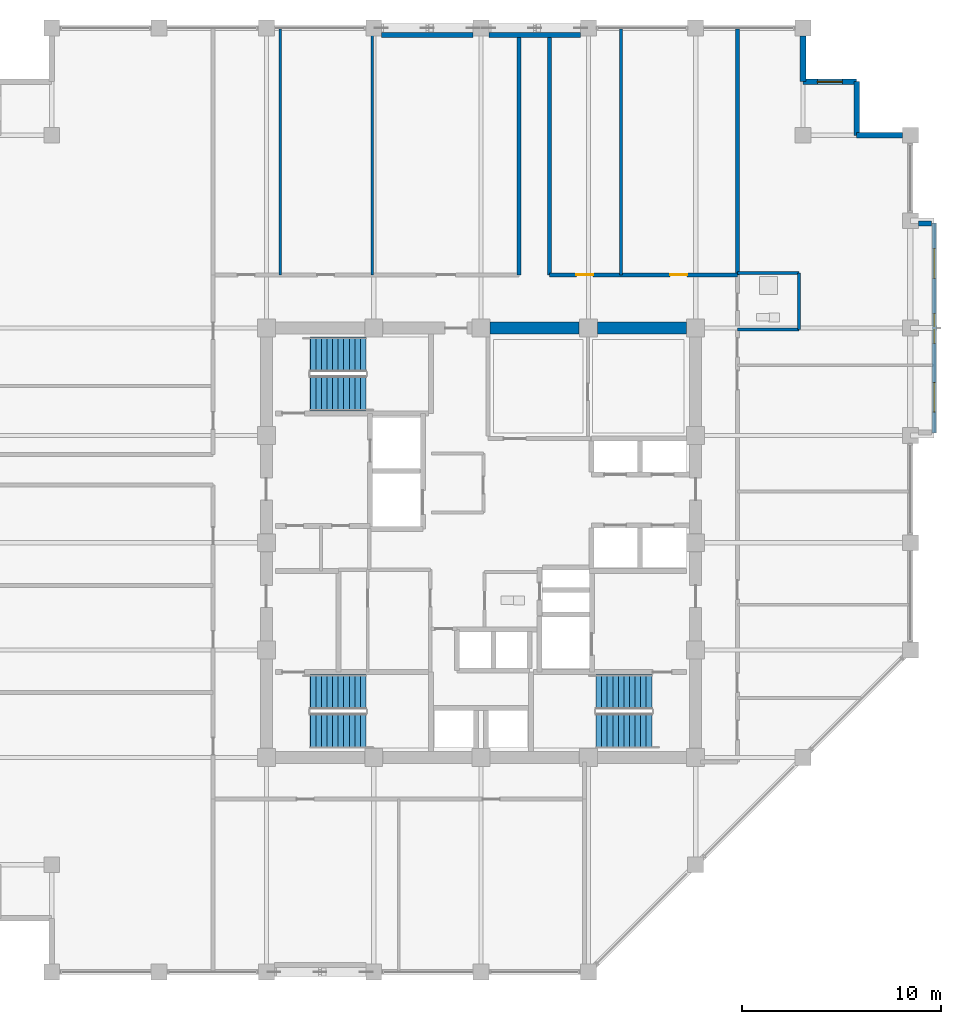
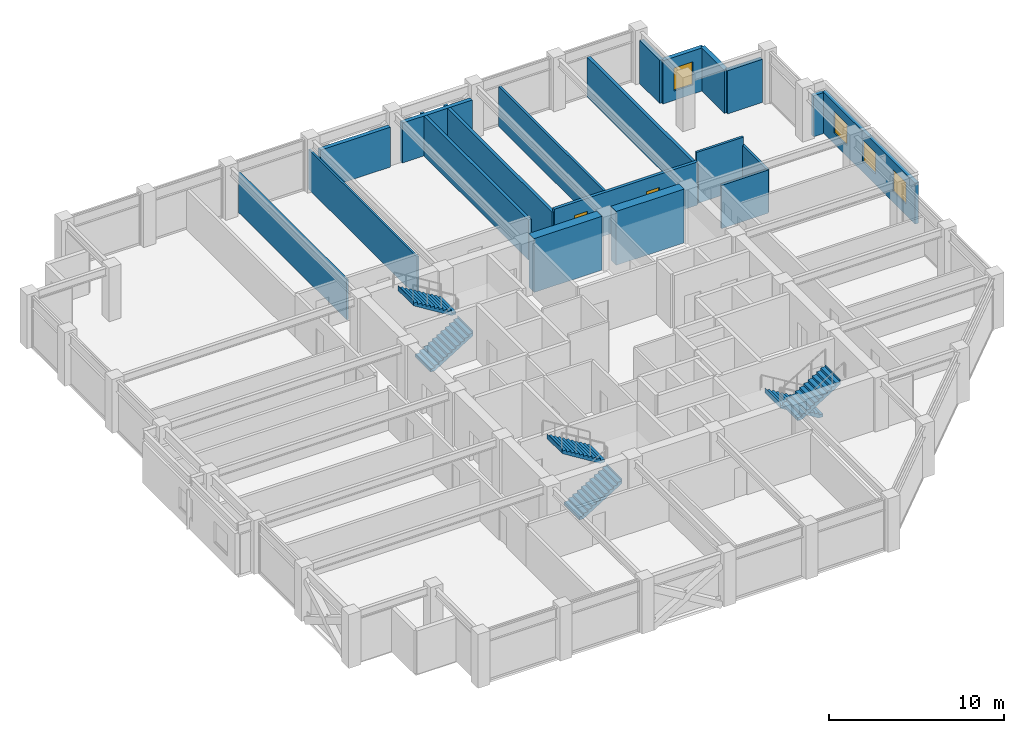
# One storey, part 27 of 30: 20 walls, 6 stair flights, 4 windows, 2 doors, 6 openings, 3 elements without a shape of their own.
"""IFC4 building model written with IfcOpenShell, lengths in metres."""

from ifc_helpers import new_model, si_unit, direction, frame, frame_2d, origin, place, context, subcontext, project, spatial, polyline, rectangle, outline, extrude, material, layer, layer_set, type_object, element, fill, aggregate, save


model = new_model("IFC4")

# Units and contexts
model_context = context("Model", 3, precision=1e-05, world=origin(), true_north=direction((0.0, 1.0)))
body_context = subcontext(model_context, "Body", "Model", "MODEL_VIEW")
ifc_project = project(units=[si_unit("LENGTHUNIT", "METRE"), si_unit("AREAUNIT", "SQUARE_METRE"), si_unit("VOLUMEUNIT", "CUBIC_METRE"), si_unit("PLANEANGLEUNIT", "RADIAN"), si_unit("MASSUNIT", "GRAM", prefix="KILO")], contexts=[model_context])

# Site, building, storey
site_placement = place(None, origin())
site = spatial("IfcSite", under=ifc_project, at=site_placement, CompositionType="ELEMENT")
building_placement = place(site_placement, origin())
building = spatial("IfcBuilding", under=site, at=building_placement, Name="Surkhivell Harbour Commons", CompositionType="ELEMENT")
storey_placement = place(building_placement, frame((0.0, 0.0, 227.25)))
storey = spatial("IfcBuildingStorey", under=building, at=storey_placement, Name="L59", CompositionType="ELEMENT", Elevation=227.25)

# Walls
ifc_material_1 = material(Name="Concrete C60/75", Category="concrete")
ifc_layer_1 = layer(ifc_material_1, 0.60009765625)
ifc_layer_set_1 = layer_set([ifc_layer_1], Name="Concrete C60/75")
wall_type_1 = type_object("IfcWallType", Name="WAL-CORE-600", PredefinedType="SHEAR", material=ifc_layer_set_1)
for number, where, z_axis, x_axis, name in (
    (1, (0.4599609375, 10.800048828125, 0.0), (0.0, 0.0, 1.0), (1.0, 0.0, 0.0), "L59 Core Shear Wall North 3"),
    (2, (5.860107421875, 10.800048828125, 0.0), (0.0, 0.0, 1.0), (1.0, 0.0, 0.0), "L59 Core Shear Wall North 4"),
):
    element("IfcWall", number, at=place(storey_placement, frame(where, z_axis=z_axis, x_axis=x_axis)), inside=storey, type_object=wall_type_1, Name=name, PredefinedType="SHEAR", context=body_context, shape_type="SweptSolid", body=[
        extrude(rectangle(XDim=4.47998046875, YDim=0.60009765625, at=frame_2d((2.239990234375, 0.0))), origin(), (0.0, 0.0, 1.0), 3.75),
    ])
ifc_material_2 = material(Name="Pale-metal insulated precast concrete C45/55", Category="concrete")
ifc_layer_2 = layer(ifc_material_2, 0.260009765625)
ifc_layer_set_2 = layer_set([ifc_layer_2], Name="Pale-metal insulated precast concrete C45/55")
wall_type_2 = type_object("IfcWallType", Name="WAL-EXT-MTL260", PredefinedType="STANDARD", material=ifc_layer_set_2)
for number, where, z_axis, x_axis, name in (
    (3, (-0.39794921875, 25.5400390625, 0.0), (0.0, 0.0, 1.0), (-1.0, 0.0, 0.0), "L59 Braced-Bay Insulated Spandrel Backing N"),
    (4, (5.001953125, 25.5400390625, 0.0), (0.0, 0.0, 1.0), (-1.0, 0.0, 0.0), "L59 Braced-Bay Insulated Spandrel Backing N2"),
):
    element("IfcWall", number, at=place(storey_placement, frame(where, z_axis=z_axis, x_axis=x_axis)), inside=storey, type_object=wall_type_2, Name=name, PredefinedType="STANDARD", context=body_context, shape_type="SweptSolid", body=[
        extrude(rectangle(XDim=4.60400390625, YDim=0.260009765625, at=frame_2d((2.302001953125, 0.0))), origin(), (0.0, 0.0, 1.0), 2.780029296875),
    ])

# Wall, openings, windows
ifc_material_3 = material(Name="Bronze-ochre cassette precast concrete C45/55", Category="concrete")
ifc_layer_3 = layer(ifc_material_3, 0.239990234375)
ifc_layer_set_3 = layer_set([ifc_layer_3], Name="Bronze-ochre cassette precast concrete C45/55")
wall_type_3 = type_object("IfcWallType", Name="WAL-EXT-OCH240", PredefinedType="STANDARD", material=ifc_layer_set_3)
wall_1_placement = place(storey_placement, frame((22.800048828125, 5.52001953125, 0.0), z_axis=(0.0, 0.0, 1.0), x_axis=(0.0, 1.0, 0.0)))
wall_1 = element("IfcWall", 5, at=wall_1_placement, inside=storey, type_object=wall_type_3, Name="L59 Coloured Box Front Wall 01", PredefinedType="STANDARD", context=body_context, shape_type="SweptSolid", body=[
    extrude(rectangle(XDim=10.56005859375, YDim=0.239990234375, at=frame_2d((5.280029296875, 0.0))), origin(), (0.0, 0.0, 1.0), 2.85693359375),
])
opening_1_placement = place(wall_1_placement, frame((1.044921875, 0.0, 0.75)))
opening_1 = element("IfcOpeningElement", 6, at=opening_1_placement, cuts=wall_1, Name="Opening WN-13", PredefinedType="OPENING", context=body_context, shape_type="SweptSolid", body=[
    extrude(rectangle(XDim=1.5, YDim=1.5, at=frame_2d((0.75, 0.75))), frame((0.0, 0.1298828125, 0.0), z_axis=(0.0, -1.0, 0.0), x_axis=(1.0, 0.0, 0.0)), (0.0, 0.0, 1.0), 0.260009765625),
])
opening_2_placement = place(wall_1_placement, frame((4.512451171875, 0.0, 0.75)))
opening_2 = element("IfcOpeningElement", 7, at=opening_2_placement, cuts=wall_1, Name="Opening WN-13", PredefinedType="OPENING", context=body_context, shape_type="SweptSolid", body=[
    extrude(rectangle(XDim=1.5, YDim=1.5, at=frame_2d((0.75, 0.75))), frame((0.0, 0.1298828125, 0.0), z_axis=(0.0, -1.0, 0.0), x_axis=(1.0, 0.0, 0.0)), (0.0, 0.0, 1.0), 0.260009765625),
])
opening_3_placement = place(wall_1_placement, frame((7.777587890625, 0.0, 0.75)))
opening_3 = element("IfcOpeningElement", 8, at=opening_3_placement, cuts=wall_1, Name="Opening WN-13", PredefinedType="OPENING", context=body_context, shape_type="SweptSolid", body=[
    extrude(rectangle(XDim=1.5, YDim=1.5, at=frame_2d((0.75, 0.75))), frame((0.0, 0.1298828125, 0.0), z_axis=(0.0, -1.0, 0.0), x_axis=(1.0, 0.0, 0.0)), (0.0, 0.0, 1.0), 0.260009765625),
])
ifc_material_4 = material(Name="Thermal-break aluminium frame and double low-E glazing", Category="aluminium")
window_type_1 = type_object("IfcWindowType", Name="WIN-BOX-1500x1500", PartitioningType="SINGLE_PANEL", PredefinedType="WINDOW", material=ifc_material_4)
window_1_placement = place(opening_1_placement, origin())
window_1 = element("IfcWindow", 9, at=window_1_placement, inside=storey, type_object=window_type_1, Name="L59 Coloured Box Square Window 01-1", OverallHeight=1.5, OverallWidth=1.5, PartitioningType="SINGLE_PANEL", PredefinedType="WINDOW", context=body_context, shape_type="SweptSolid", body=[
    extrude(rectangle(XDim=1.5, YDim=1.5, at=frame_2d((0.75, 0.75))), frame((0.0, 0.030029296875, 0.0), z_axis=(0.0, -1.0, 0.0), x_axis=(1.0, 0.0, 0.0)), (0.0, 0.0, 1.0), 0.06005859375),
])
fill(opening_1, window_1)
window_2_placement = place(opening_2_placement, origin())
window_2 = element("IfcWindow", 10, at=window_2_placement, inside=storey, type_object=window_type_1, Name="L59 Coloured Box Square Window 01-2", OverallHeight=1.5, OverallWidth=1.5, PartitioningType="SINGLE_PANEL", PredefinedType="WINDOW", context=body_context, shape_type="SweptSolid", body=[
    extrude(rectangle(XDim=1.5, YDim=1.5, at=frame_2d((0.75, 0.75))), frame((0.0, 0.030029296875, 0.0), z_axis=(0.0, -1.0, 0.0), x_axis=(1.0, 0.0, 0.0)), (0.0, 0.0, 1.0), 0.06005859375),
])
fill(opening_2, window_2)
window_3_placement = place(opening_3_placement, origin())
window_3 = element("IfcWindow", 11, at=window_3_placement, inside=storey, type_object=window_type_1, Name="L59 Coloured Box Square Window 01-3", OverallHeight=1.5, OverallWidth=1.5, PartitioningType="SINGLE_PANEL", PredefinedType="WINDOW", context=body_context, shape_type="SweptSolid", body=[
    extrude(rectangle(XDim=1.5, YDim=1.5, at=frame_2d((0.75, 0.75))), frame((0.0, 0.030029296875, 0.0), z_axis=(0.0, -1.0, 0.0), x_axis=(1.0, 0.0, 0.0)), (0.0, 0.0, 1.0), 0.06005859375),
])
fill(opening_3, window_3)

# Walls
wall_2_placement = place(storey_placement, frame((22.00390625, 16.06005859375, 0.0), z_axis=(0.0, 0.0, 1.0), x_axis=(1.0, 0.0, 0.0)))
element("IfcWall", 12, at=wall_2_placement, inside=storey, type_object=wall_type_3, Name="L59 Coloured Box Return Wall 01N", PredefinedType="STANDARD", context=body_context, shape_type="SweptSolid", body=[
    extrude(rectangle(XDim=0.656005859375, YDim=0.239990234375, at=frame_2d((0.328125, 0.0))), origin(), (0.0, 0.0, 1.0), 2.85693359375),
])
ifc_material_5 = material(Name="Terracotta-clad reinforced concrete C45/55", Category="masonry")
ifc_layer_4 = layer(ifc_material_5, 0.280029296875)
ifc_layer_set_4 = layer_set([ifc_layer_4], Name="Terracotta-clad reinforced concrete C45/55")
wall_type_4 = type_object("IfcWallType", Name="WAL-EXT-TER280", PredefinedType="STANDARD", material=ifc_layer_set_4)
wall_3_placement = place(storey_placement, frame((21.201904296875, 20.5, 0.0), z_axis=(0.0, 0.0, 1.0), x_axis=(-1.0, 0.0, 0.0)))
element("IfcWall", 13, at=wall_3_placement, inside=storey, type_object=wall_type_4, Name="L59 Serrated Corner Facade Wall 03", PredefinedType="STANDARD", context=body_context, shape_type="SweptSolid", body=[
    extrude(rectangle(XDim=2.302001953125, YDim=0.280029296875, at=frame_2d((1.15087890625, 0.0))), origin(), (0.0, 0.0, 1.0), 3.006103515625),
])
wall_4_placement = place(storey_placement, frame((18.89990234375, 20.5, 0.0), z_axis=(0.0, 0.0, 1.0), x_axis=(0.0, 1.0, 0.0)))
element("IfcWall", 14, at=wall_4_placement, inside=storey, type_object=wall_type_4, Name="L59 Serrated Corner Facade Wall 04", PredefinedType="STANDARD", context=body_context, shape_type="SweptSolid", body=[
    extrude(rectangle(XDim=2.699951171875, YDim=0.280029296875, at=frame_2d((1.35009765625, 0.0))), origin(), (0.0, 0.0, 1.0), 3.006103515625),
])

# Wall, opening, window
wall_5_placement = place(storey_placement, frame((18.89990234375, 23.199951171875, 0.0), z_axis=(0.0, 0.0, 1.0), x_axis=(-1.0, 0.0, 0.0)))
wall_5 = element("IfcWall", 15, at=wall_5_placement, inside=storey, type_object=wall_type_4, Name="L59 Serrated Corner Facade Wall 05", PredefinedType="STANDARD", context=body_context, shape_type="SweptSolid", body=[
    extrude(rectangle(XDim=2.699951171875, YDim=0.280029296875, at=frame_2d((1.35009765625, 0.0))), origin(), (0.0, 0.0, 1.0), 3.006103515625),
])
opening_4_placement = place(wall_5_placement, frame((0.72509765625, 0.0, 0.64990234375)))
opening_4 = element("IfcOpeningElement", 16, at=opening_4_placement, cuts=wall_5, Name="Opening WN-09", PredefinedType="OPENING", context=body_context, shape_type="SweptSolid", body=[
    extrude(rectangle(XDim=1.25, YDim=1.60009765625, at=frame_2d((0.625, 0.800048828125))), frame((0.0, 0.14990234375, 0.0), z_axis=(0.0, -1.0, 0.0), x_axis=(1.0, 0.0, 0.0)), (0.0, 0.0, 1.0), 0.300048828125),
])
window_type_2 = type_object("IfcWindowType", Name="WIN-SER-1250x1600", PartitioningType="SINGLE_PANEL", PredefinedType="WINDOW", material=ifc_material_4)
window_4_placement = place(opening_4_placement, origin())
window_4 = element("IfcWindow", 17, at=window_4_placement, inside=storey, type_object=window_type_2, Name="L59 Serrated Alcove Window 05", OverallHeight=1.60009765625, OverallWidth=1.25, PartitioningType="SINGLE_PANEL", PredefinedType="WINDOW", context=body_context, shape_type="SweptSolid", body=[
    extrude(rectangle(XDim=1.25, YDim=1.60009765625, at=frame_2d((0.625, 0.800048828125))), frame((0.0, 0.030029296875, 0.0), z_axis=(0.0, -1.0, 0.0), x_axis=(1.0, 0.0, 0.0)), (0.0, 0.0, 1.0), 0.06005859375),
])
fill(opening_4, window_4)

# Walls
wall_6_placement = place(storey_placement, frame((16.199951171875, 23.199951171875, 0.0), z_axis=(0.0, 0.0, 1.0), x_axis=(0.0, 1.0, 0.0)))
element("IfcWall", 18, at=wall_6_placement, inside=storey, type_object=wall_type_4, Name="L59 Serrated Corner Facade Wall 06", PredefinedType="STANDARD", context=body_context, shape_type="SweptSolid", body=[
    extrude(rectangle(XDim=2.302001953125, YDim=0.280029296875, at=frame_2d((1.15087890625, 0.0))), origin(), (0.0, 0.0, 1.0), 3.006103515625),
])
ifc_material_6 = material(Name="Moisture-resistant acoustic stud partition", Category="other")
ifc_layer_5 = layer(ifc_material_6, 0.125)
ifc_layer_set_5 = layer_set([ifc_layer_5], Name="Moisture-resistant acoustic stud partition")
wall_type_5 = type_object("IfcWallType", Name="WAL-INT-125", PredefinedType="PARTITIONING", material=ifc_layer_set_5)
for number, where, z_axis, x_axis, name in (
    (19, (-10.10009765625, 13.47998046875, 0.0), (0.0, 0.0, 1.0), (0.0, 1.0, 0.0), "L59 North-West Partition P1"),
    (20, (-5.47998046875, 13.47998046875, 0.0), (0.0, 0.0, 1.0), (0.0, 1.0, 0.0), "L59 North-West Partition P2"),
):
    element("IfcWall", number, at=place(storey_placement, frame(where, z_axis=z_axis, x_axis=x_axis)), inside=storey, type_object=wall_type_5, Name=name, PredefinedType="PARTITIONING", context=body_context, shape_type="SweptSolid", body=[
        extrude(rectangle(XDim=12.360107421875, YDim=0.125, at=frame_2d((6.18017578125, 0.0))), origin(), (0.0, 0.0, 1.0), 2.780029296875),
    ])
ifc_material_7 = material(Name="Twin-stud acoustic fireboard partition", Category="other")
ifc_layer_6 = layer(ifc_material_7, 0.14990234375)
ifc_layer_set_6 = layer_set([ifc_layer_6], Name="Twin-stud acoustic fireboard partition")
wall_type_6 = type_object("IfcWallType", Name="WAL-INT-150", PredefinedType="PARTITIONING", material=ifc_layer_set_6)
wall_7_placement = place(storey_placement, frame((16.0, 10.72998046875, 0.0), z_axis=(0.0, 0.0, 1.0), x_axis=(0.0, 1.0, 0.0)))
element("IfcWall", 21, at=wall_7_placement, inside=storey, type_object=wall_type_6, Name="L59 East Partition BTHB", PredefinedType="PARTITIONING", context=body_context, shape_type="SweptSolid", body=[
    extrude(rectangle(XDim=2.85009765625, YDim=0.14990234375, at=frame_2d((1.425048828125, 0.0))), origin(), (0.0, 0.0, 1.0), 3.006103515625),
])
wall_8_placement = place(storey_placement, frame((12.89990234375, 13.580078125, 0.0), z_axis=(0.0, 0.0, 1.0), x_axis=(1.0, 0.0, 0.0)))
element("IfcWall", 22, at=wall_8_placement, inside=storey, type_object=wall_type_6, Name="L59 East Partition BTHN", PredefinedType="PARTITIONING", context=body_context, shape_type="SweptSolid", body=[
    extrude(rectangle(XDim=3.10009765625, YDim=0.14990234375, at=frame_2d((1.550048828125, 0.0))), origin(), (0.0, 0.0, 1.0), 3.570068359375),
])
wall_9_placement = place(storey_placement, frame((12.89990234375, 10.72998046875, 0.0), z_axis=(0.0, 0.0, 1.0), x_axis=(1.0, 0.0, 0.0)))
element("IfcWall", 23, at=wall_9_placement, inside=storey, type_object=wall_type_6, Name="L59 East Partition BTHS", PredefinedType="PARTITIONING", context=body_context, shape_type="SweptSolid", body=[
    extrude(rectangle(XDim=3.10009765625, YDim=0.14990234375, at=frame_2d((1.550048828125, 0.0))), origin(), (0.0, 0.0, 1.0), 3.006103515625),
])
wall_10_placement = place(storey_placement, frame((7.0400390625, 13.47998046875, 0.0), z_axis=(0.0, 0.0, 1.0), x_axis=(0.0, 1.0, 0.0)))
element("IfcWall", 24, at=wall_10_placement, inside=storey, type_object=wall_type_6, Name="L59 North-East Partition P1", PredefinedType="PARTITIONING", context=body_context, shape_type="SweptSolid", body=[
    extrude(rectangle(XDim=12.360107421875, YDim=0.14990234375, at=frame_2d((6.18017578125, 0.0))), origin(), (0.0, 0.0, 1.0), 2.780029296875),
])
ifc_material_8 = material(Name="Autoclaved aerated concrete blockwork and fire plaster", Category="masonry")
ifc_layer_7 = layer(ifc_material_8, 0.199951171875)
ifc_layer_set_7 = layer_set([ifc_layer_7], Name="Autoclaved aerated concrete blockwork and fire plaster")
wall_type_7 = type_object("IfcWallType", Name="WAL-INT-200", PredefinedType="PARTITIONING", material=ifc_layer_set_7)
wall_11_placement = place(storey_placement, frame((12.89990234375, 13.47998046875, 0.0), z_axis=(0.0, 0.0, 1.0), x_axis=(0.0, 1.0, 0.0)))
element("IfcWall", 25, at=wall_11_placement, inside=storey, type_object=wall_type_7, Name="L59 North-East Corner Wall", PredefinedType="PARTITIONING", context=body_context, shape_type="SweptSolid", body=[
    extrude(rectangle(XDim=12.360107421875, YDim=0.199951171875, at=frame_2d((6.18017578125, 0.0))), origin(), (0.0, 0.0, 1.0), 2.780029296875),
])

# Wall, openings, doors
wall_12_placement = place(storey_placement, frame((3.449951171875, 13.47998046875, 0.0), z_axis=(0.0, 0.0, 1.0), x_axis=(1.0, 0.0, 0.0)))
wall_12 = element("IfcWall", 26, at=wall_12_placement, inside=storey, type_object=wall_type_7, Name="L59 Corridor North-East Wall", PredefinedType="PARTITIONING", context=body_context, shape_type="SweptSolid", body=[
    extrude(rectangle(XDim=9.449951171875, YDim=0.199951171875, at=frame_2d((4.72509765625, 0.0))), origin(), (0.0, 0.0, 1.0), 3.006103515625),
])
opening_5_placement = place(wall_12_placement, frame((1.344970703125, 0.0, 0.0)))
opening_5 = element("IfcOpeningElement", 27, at=opening_5_placement, cuts=wall_12, Name="Opening ID-6", PredefinedType="OPENING", context=body_context, shape_type="SweptSolid", body=[
    extrude(rectangle(XDim=0.85009765625, YDim=2.10009765625, at=frame_2d((0.425048828125, 1.050048828125))), frame((0.0, 0.10986328125, 0.0), z_axis=(0.0, -1.0, 0.0), x_axis=(1.0, 0.0, 0.0)), (0.0, 0.0, 1.0), 0.219970703125),
])
opening_6_placement = place(wall_12_placement, frame((6.070068359375, 0.0, 0.0)))
opening_6 = element("IfcOpeningElement", 28, at=opening_6_placement, cuts=wall_12, Name="Opening ID-6", PredefinedType="OPENING", context=body_context, shape_type="SweptSolid", body=[
    extrude(rectangle(XDim=0.85009765625, YDim=2.10009765625, at=frame_2d((0.425048828125, 1.050048828125))), frame((0.0, 0.10986328125, 0.0), z_axis=(0.0, -1.0, 0.0), x_axis=(1.0, 0.0, 0.0)), (0.0, 0.0, 1.0), 0.219970703125),
])
ifc_material_9 = material(Name="Hardwood-veneered fire-rated door leaf", Category="wood")
door_type = type_object("IfcDoorType", Name="DOR-FD30-850", OperationType="NOTDEFINED", PredefinedType="DOOR", material=ifc_material_9)
door_1_placement = place(opening_5_placement, origin())
door_1 = element("IfcDoor", 29, at=door_1_placement, inside=storey, type_object=door_type, Name="L59 Harbour Reading Library North-East Door", OperationType="SINGLE_SWING_LEFT", OverallHeight=2.10009765625, OverallWidth=0.85009765625, PredefinedType="DOOR", context=body_context, shape_type="SweptSolid", body=[
    extrude(rectangle(XDim=0.85009765625, YDim=2.10009765625, at=frame_2d((0.425048828125, 1.050048828125))), frame((0.0, 0.02490234375, 0.0), z_axis=(0.0, -1.0, 0.0), x_axis=(1.0, 0.0, 0.0)), (0.0, 0.0, 1.0), 0.050048828125),
])
fill(opening_5, door_1)
door_2_placement = place(opening_6_placement, origin())
door_2 = element("IfcDoor", 30, at=door_2_placement, inside=storey, type_object=door_type, Name="L59 Communal Dining Hall North-East Door", OperationType="SINGLE_SWING_RIGHT", OverallHeight=2.10009765625, OverallWidth=0.85009765625, PredefinedType="DOOR", context=body_context, shape_type="SweptSolid", body=[
    extrude(rectangle(XDim=0.85009765625, YDim=2.10009765625, at=frame_2d((0.425048828125, 1.050048828125))), frame((0.0, 0.02490234375, 0.0), z_axis=(0.0, -1.0, 0.0), x_axis=(1.0, 0.0, 0.0)), (0.0, 0.0, 1.0), 0.050048828125),
])
fill(opening_6, door_2)

# Walls
for number, where, z_axis, x_axis, name in (
    (31, (3.449951171875, 13.47998046875, 0.0), (0.0, 0.0, 1.0), (0.0, 1.0, 0.0), "L59 North Spur East Wall"),
    (32, (1.89990234375, 13.47998046875, 0.0), (0.0, 0.0, 1.0), (0.0, 1.0, 0.0), "L59 North Spur West Wall"),
):
    element("IfcWall", number, at=place(storey_placement, frame(where, z_axis=z_axis, x_axis=x_axis)), inside=storey, type_object=wall_type_7, Name=name, PredefinedType="PARTITIONING", context=body_context, shape_type="SweptSolid", body=[
        extrude(rectangle(XDim=12.360107421875, YDim=0.199951171875, at=frame_2d((6.18017578125, 0.0))), origin(), (0.0, 0.0, 1.0), 2.780029296875),
    ])

# Stair, stair flights
ifc_material_10 = material(Name="Precast concrete C45/55", Category="concrete")
stair_type = type_object("IfcStairType", Name="STR-DL-375", PredefinedType="HALF_TURN_STAIR", material=ifc_material_10)
stair_1_placement = place(storey_placement, origin())
stair_1 = element("IfcStair", 33, at=stair_1_placement, inside=storey, type_object=stair_type, Name="L59 Core Exit Stair ST1", PredefinedType="HALF_TURN_STAIR")
stair_flight_type = type_object("IfcStairFlightType", Name="STF-DL-375", PredefinedType="STRAIGHT", material=ifc_material_10)
stair_flight_1_placement = place(storey_placement, frame((-8.590087890625, 7.514892578125, 0.0), z_axis=(0.0, 0.0, 1.0), x_axis=(1.0, 0.0, 0.0)))
stair_flight_1 = element("IfcStairFlight", 34, at=stair_flight_1_placement, type_object=stair_flight_type, Name="ST1 flight 1", NumberOfRisers=11, NumberOfTreads=10, PredefinedType="STRAIGHT", RiserHeight=0.170454545, TreadLength=0.28, context=body_context, shape_type="SweptSolid", body=[
    extrude(outline(polyline([(-0.0029296875, -0.034912109375), (-0.0029296875, 0.0), (0.0, 0.0), (0.0, 0.17041015625), (0.280029296875, 0.17041015625), (0.280029296875, 0.3408203125), (0.56005859375, 0.3408203125), (0.56005859375, 0.511474609375), (0.840087890625, 0.511474609375), (0.840087890625, 0.681884765625), (1.1201171875, 0.681884765625), (1.1201171875, 0.852294921875), (1.39990234375, 0.852294921875), (1.39990234375, 1.022705078125), (1.679931640625, 1.022705078125), (1.679931640625, 1.193115234375), (1.9599609375, 1.193115234375), (1.9599609375, 1.363525390625), (2.239990234375, 1.363525390625), (2.239990234375, 1.5341796875), (2.52001953125, 1.5341796875), (2.52001953125, 1.70458984375), (2.800048828125, 1.70458984375), (2.800048828125, 1.875), (2.802978515625, 1.875), (2.802978515625, 1.529052734375), (0.288330078125, -0.034912109375), (-0.0029296875, -0.034912109375)])), frame((0.0, 0.875, 0.0), z_axis=(0.0, -1.0, 0.0), x_axis=(1.0, 0.0, 0.0)), (0.0, 0.0, 1.0), 1.75),
])
stair_flight_2_placement = place(storey_placement, frame((-5.7900390625, 9.465087890625, 1.875), z_axis=(0.0, 0.0, 1.0), x_axis=(-1.0, 0.0, 0.0)))
stair_flight_2 = element("IfcStairFlight", 35, at=stair_flight_2_placement, type_object=stair_flight_type, Name="ST1 flight 2", NumberOfRisers=11, NumberOfTreads=10, PredefinedType="STRAIGHT", RiserHeight=0.170454545, TreadLength=0.28, context=body_context, shape_type="SweptSolid", body=[
    extrude(outline(polyline([(-0.0029296875, -0.034912109375), (-0.0029296875, 0.0), (0.0, 0.0), (0.0, 0.17041015625), (0.280029296875, 0.17041015625), (0.280029296875, 0.3408203125), (0.56005859375, 0.3408203125), (0.56005859375, 0.511474609375), (0.840087890625, 0.511474609375), (0.840087890625, 0.681884765625), (1.1201171875, 0.681884765625), (1.1201171875, 0.852294921875), (1.39990234375, 0.852294921875), (1.39990234375, 1.022705078125), (1.679931640625, 1.022705078125), (1.679931640625, 1.193115234375), (1.9599609375, 1.193115234375), (1.9599609375, 1.363525390625), (2.239990234375, 1.363525390625), (2.239990234375, 1.5341796875), (2.52001953125, 1.5341796875), (2.52001953125, 1.70458984375), (2.800048828125, 1.70458984375), (2.800048828125, 1.875), (2.802978515625, 1.875), (2.802978515625, 1.529052734375), (0.288330078125, -0.034912109375), (-0.0029296875, -0.034912109375)])), frame((0.0, 0.875, 0.0), z_axis=(0.0, -1.0, 0.0), x_axis=(1.0, 0.0, 0.0)), (0.0, 0.0, 1.0), 1.75),
])
aggregate(stair_1, [stair_flight_1, stair_flight_2])

stair_2_placement = place(storey_placement, origin())
stair_2 = element("IfcStair", 36, at=stair_2_placement, inside=storey, type_object=stair_type, Name="L59 Core Exit Stair ST2", PredefinedType="HALF_TURN_STAIR")
stair_flight_3_placement = place(storey_placement, frame((8.590087890625, -7.514892578125, 0.0), z_axis=(0.0, 0.0, 1.0), x_axis=(-1.0, 0.0, 0.0)))
stair_flight_3 = element("IfcStairFlight", 37, at=stair_flight_3_placement, type_object=stair_flight_type, Name="ST2 flight 1", NumberOfRisers=11, NumberOfTreads=10, PredefinedType="STRAIGHT", RiserHeight=0.170454545, TreadLength=0.28, context=body_context, shape_type="SweptSolid", body=[
    extrude(outline(polyline([(-0.0029296875, -0.034912109375), (-0.0029296875, 0.0), (0.0, 0.0), (0.0, 0.17041015625), (0.280029296875, 0.17041015625), (0.280029296875, 0.3408203125), (0.56005859375, 0.3408203125), (0.56005859375, 0.511474609375), (0.840087890625, 0.511474609375), (0.840087890625, 0.681884765625), (1.1201171875, 0.681884765625), (1.1201171875, 0.852294921875), (1.39990234375, 0.852294921875), (1.39990234375, 1.022705078125), (1.679931640625, 1.022705078125), (1.679931640625, 1.193115234375), (1.9599609375, 1.193115234375), (1.9599609375, 1.363525390625), (2.239990234375, 1.363525390625), (2.239990234375, 1.5341796875), (2.52001953125, 1.5341796875), (2.52001953125, 1.70458984375), (2.800048828125, 1.70458984375), (2.800048828125, 1.875), (2.802978515625, 1.875), (2.802978515625, 1.529052734375), (0.288330078125, -0.034912109375), (-0.0029296875, -0.034912109375)])), frame((0.0, 0.875, 0.0), z_axis=(0.0, -1.0, 0.0), x_axis=(1.0, 0.0, 0.0)), (0.0, 0.0, 1.0), 1.75),
])
stair_flight_4_placement = place(storey_placement, frame((5.7900390625, -9.465087890625, 1.875), z_axis=(0.0, 0.0, 1.0), x_axis=(1.0, 0.0, 0.0)))
stair_flight_4 = element("IfcStairFlight", 38, at=stair_flight_4_placement, type_object=stair_flight_type, Name="ST2 flight 2", NumberOfRisers=11, NumberOfTreads=10, PredefinedType="STRAIGHT", RiserHeight=0.170454545, TreadLength=0.28, context=body_context, shape_type="SweptSolid", body=[
    extrude(outline(polyline([(-0.0029296875, -0.034912109375), (-0.0029296875, 0.0), (0.0, 0.0), (0.0, 0.17041015625), (0.280029296875, 0.17041015625), (0.280029296875, 0.3408203125), (0.56005859375, 0.3408203125), (0.56005859375, 0.511474609375), (0.840087890625, 0.511474609375), (0.840087890625, 0.681884765625), (1.1201171875, 0.681884765625), (1.1201171875, 0.852294921875), (1.39990234375, 0.852294921875), (1.39990234375, 1.022705078125), (1.679931640625, 1.022705078125), (1.679931640625, 1.193115234375), (1.9599609375, 1.193115234375), (1.9599609375, 1.363525390625), (2.239990234375, 1.363525390625), (2.239990234375, 1.5341796875), (2.52001953125, 1.5341796875), (2.52001953125, 1.70458984375), (2.800048828125, 1.70458984375), (2.800048828125, 1.875), (2.802978515625, 1.875), (2.802978515625, 1.529052734375), (0.288330078125, -0.034912109375), (-0.0029296875, -0.034912109375)])), frame((0.0, 0.875, 0.0), z_axis=(0.0, -1.0, 0.0), x_axis=(1.0, 0.0, 0.0)), (0.0, 0.0, 1.0), 1.75),
])
aggregate(stair_2, [stair_flight_3, stair_flight_4])

stair_3_placement = place(storey_placement, origin())
stair_3 = element("IfcStair", 39, at=stair_3_placement, inside=storey, type_object=stair_type, Name="L59 Core Exit Stair ST3", PredefinedType="HALF_TURN_STAIR")
stair_flight_5_placement = place(storey_placement, frame((-8.590087890625, -9.465087890625, 0.0), z_axis=(0.0, 0.0, 1.0), x_axis=(1.0, 0.0, 0.0)))
stair_flight_5 = element("IfcStairFlight", 40, at=stair_flight_5_placement, type_object=stair_flight_type, Name="ST3 flight 1", NumberOfRisers=11, NumberOfTreads=10, PredefinedType="STRAIGHT", RiserHeight=0.170454545, TreadLength=0.28, context=body_context, shape_type="SweptSolid", body=[
    extrude(outline(polyline([(-0.0029296875, -0.034912109375), (-0.0029296875, 0.0), (0.0, 0.0), (0.0, 0.17041015625), (0.280029296875, 0.17041015625), (0.280029296875, 0.3408203125), (0.56005859375, 0.3408203125), (0.56005859375, 0.511474609375), (0.840087890625, 0.511474609375), (0.840087890625, 0.681884765625), (1.1201171875, 0.681884765625), (1.1201171875, 0.852294921875), (1.39990234375, 0.852294921875), (1.39990234375, 1.022705078125), (1.679931640625, 1.022705078125), (1.679931640625, 1.193115234375), (1.9599609375, 1.193115234375), (1.9599609375, 1.363525390625), (2.239990234375, 1.363525390625), (2.239990234375, 1.5341796875), (2.52001953125, 1.5341796875), (2.52001953125, 1.70458984375), (2.800048828125, 1.70458984375), (2.800048828125, 1.875), (2.802978515625, 1.875), (2.802978515625, 1.529052734375), (0.288330078125, -0.034912109375), (-0.0029296875, -0.034912109375)])), frame((0.0, 0.875, 0.0), z_axis=(0.0, -1.0, 0.0), x_axis=(1.0, 0.0, 0.0)), (0.0, 0.0, 1.0), 1.75),
])
stair_flight_6_placement = place(storey_placement, frame((-5.7900390625, -7.514892578125, 1.875), z_axis=(0.0, 0.0, 1.0), x_axis=(-1.0, 0.0, 0.0)))
stair_flight_6 = element("IfcStairFlight", 41, at=stair_flight_6_placement, type_object=stair_flight_type, Name="ST3 flight 2", NumberOfRisers=11, NumberOfTreads=10, PredefinedType="STRAIGHT", RiserHeight=0.170454545, TreadLength=0.28, context=body_context, shape_type="SweptSolid", body=[
    extrude(outline(polyline([(-0.0029296875, -0.034912109375), (-0.0029296875, 0.0), (0.0, 0.0), (0.0, 0.17041015625), (0.280029296875, 0.17041015625), (0.280029296875, 0.3408203125), (0.56005859375, 0.3408203125), (0.56005859375, 0.511474609375), (0.840087890625, 0.511474609375), (0.840087890625, 0.681884765625), (1.1201171875, 0.681884765625), (1.1201171875, 0.852294921875), (1.39990234375, 0.852294921875), (1.39990234375, 1.022705078125), (1.679931640625, 1.022705078125), (1.679931640625, 1.193115234375), (1.9599609375, 1.193115234375), (1.9599609375, 1.363525390625), (2.239990234375, 1.363525390625), (2.239990234375, 1.5341796875), (2.52001953125, 1.5341796875), (2.52001953125, 1.70458984375), (2.800048828125, 1.70458984375), (2.800048828125, 1.875), (2.802978515625, 1.875), (2.802978515625, 1.529052734375), (0.288330078125, -0.034912109375), (-0.0029296875, -0.034912109375)])), frame((0.0, 0.875, 0.0), z_axis=(0.0, -1.0, 0.0), x_axis=(1.0, 0.0, 0.0)), (0.0, 0.0, 1.0), 1.75),
])
aggregate(stair_3, [stair_flight_5, stair_flight_6])

save(model, "model.ifc")
